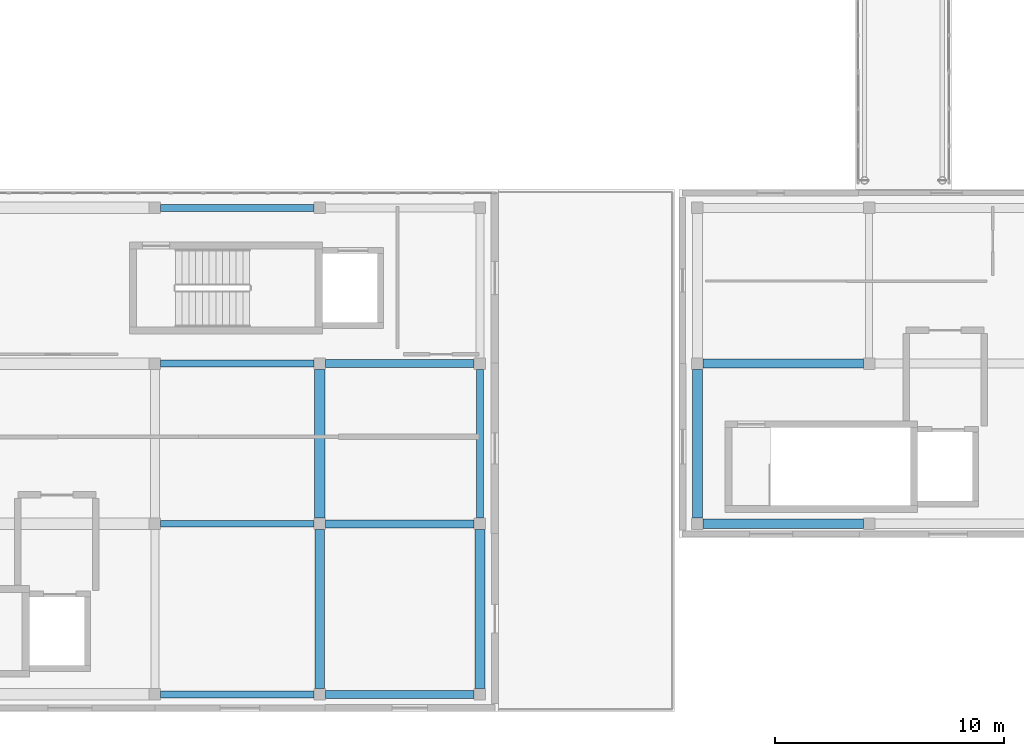
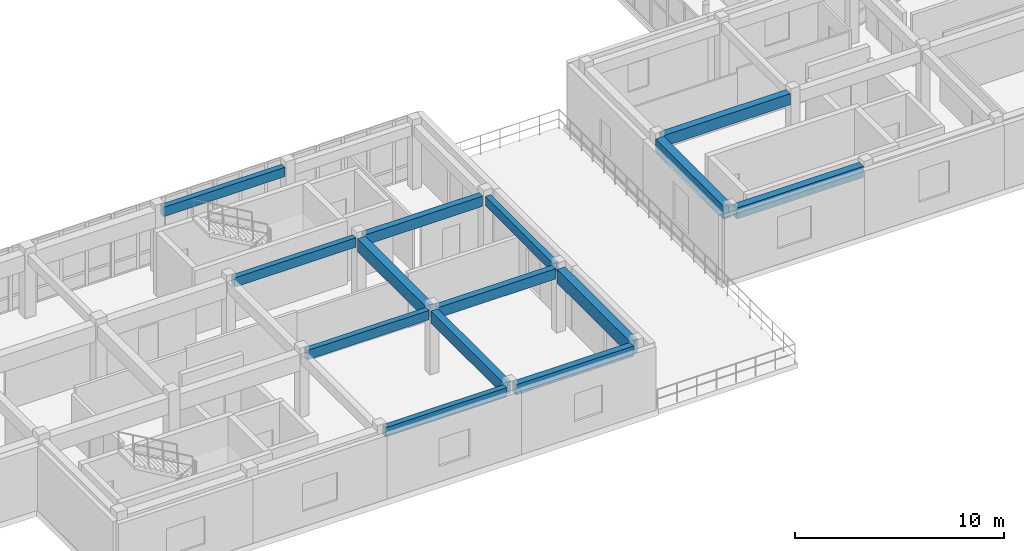
# One storey, part 12 of 52: 14 beams.
"""IFC4 building model written with IfcOpenShell, lengths in metres."""

from ifc_helpers import new_model, si_unit, direction, frame, origin, origin_2d, place, context, subcontext, project, spatial, rectangle, extrude, material, material_profile, profile_set, type_object, element, save


model = new_model("IFC4")

# Units and contexts
model_context = context("Model", 3, precision=1e-05, world=origin(), true_north=direction((0.0, 1.0)))
body_context = subcontext(model_context, "Body", "Model", "MODEL_VIEW")
ifc_project = project(units=[si_unit("LENGTHUNIT", "METRE"), si_unit("AREAUNIT", "SQUARE_METRE"), si_unit("VOLUMEUNIT", "CUBIC_METRE"), si_unit("PLANEANGLEUNIT", "RADIAN"), si_unit("MASSUNIT", "GRAM", prefix="KILO")], contexts=[model_context])

# Site, building, storey
site_placement = place(None, origin())
site = spatial("IfcSite", under=ifc_project, at=site_placement, CompositionType="ELEMENT")
building_placement = place(site_placement, origin())
building = spatial("IfcBuilding", under=site, at=building_placement, Name="Valcora Specialist Clinic", CompositionType="ELEMENT")
storey_placement = place(building_placement, frame((0.0, 0.0, 17.679931640625)))
storey = spatial("IfcBuildingStorey", under=building, at=storey_placement, Name="L04", CompositionType="ELEMENT", Elevation=17.679931640625)

# Beams
ifc_material = material(Name="Concrete C40/50", Category="concrete")
ifc_material_profile_1 = material_profile(ifc_material, rectangle(XDim=0.300048828125, YDim=0.550048828125, at=origin_2d()), Name="RC-BM-300X550")
ifc_profile_set_1 = profile_set([ifc_material_profile_1], Name="Concrete C40/50")
beam_type_1 = type_object("IfcBeamType", Name="TY-BM-RC300X550", PredefinedType="BEAM", material=ifc_profile_set_1)
for number, where, z_axis, x_axis, name in (
    (1, (30.85009765625, 0.75, 3.445068359375), (1.0, 0.0, 0.0), (0.0, 1.0, 0.0), "Beam BM-L04-1075"),
    (2, (30.85009765625, 8.199951171875, 3.445068359375), (1.0, 0.0, 0.0), (0.0, 1.0, 0.0), "Beam BM-L04-1081"),
    (3, (30.85009765625, 15.199951171875, 3.445068359375), (1.0, 0.0, 0.0), (0.0, 1.0, 0.0), "Beam BM-L04-1087"),
    (4, (30.85009765625, 22.0, 3.445068359375), (1.0, 0.0, 0.0), (0.0, 1.0, 0.0), "Beam BM-L04-1093"),
):
    element("IfcBeam", number, at=place(storey_placement, frame(where, z_axis=z_axis, x_axis=x_axis)), inside=storey, type_object=beam_type_1, Name=name, PredefinedType="BEAM", context=body_context, shape_type="SweptSolid", body=[
        extrude(rectangle(XDim=0.300048828125, YDim=0.550048828125, at=origin_2d()), origin(), (0.0, 0.0, 1.0), 6.699951171875),
    ])
beam_1_placement = place(storey_placement, frame((44.800048828125, 8.449951171875, 3.445068359375), z_axis=(0.0, 1.0, 0.0), x_axis=(-1.0, 0.0, 0.0)))
element("IfcBeam", 5, at=beam_1_placement, inside=storey, type_object=beam_type_1, Name="Beam BM-L04-1109", PredefinedType="BEAM", context=body_context, shape_type="SweptSolid", body=[
    extrude(rectangle(XDim=0.300048828125, YDim=0.550048828125, at=origin_2d()), origin(), (0.0, 0.0, 1.0), 6.5),
])
ifc_material_profile_2 = material_profile(ifc_material, rectangle(XDim=0.35009765625, YDim=0.60009765625, at=origin_2d()), Name="RC-BM-350X600")
ifc_profile_set_2 = profile_set([ifc_material_profile_2], Name="Concrete C40/50")
beam_type_2 = type_object("IfcBeamType", Name="TY-BM-RC350X600", PredefinedType="BEAM", material=ifc_profile_set_2)
for number, where, z_axis, x_axis, name in (
    (6, (38.050048828125, 0.75, 3.420166015625), (1.0, 0.0, 0.0), (0.0, 1.0, 0.0), "Beam BM-L04-1076"),
    (7, (38.050048828125, 8.199951171875, 3.420166015625), (1.0, 0.0, 0.0), (0.0, 1.0, 0.0), "Beam BM-L04-1082"),
    (8, (38.050048828125, 15.199951171875, 3.420166015625), (1.0, 0.0, 0.0), (0.0, 1.0, 0.0), "Beam BM-L04-1088"),
):
    element("IfcBeam", number, at=place(storey_placement, frame(where, z_axis=z_axis, x_axis=x_axis)), inside=storey, type_object=beam_type_2, Name=name, PredefinedType="BEAM", context=body_context, shape_type="SweptSolid", body=[
        extrude(rectangle(XDim=0.35009765625, YDim=0.60009765625, at=origin_2d()), origin(), (0.0, 0.0, 1.0), 6.5),
    ])
ifc_material_profile_3 = material_profile(ifc_material, rectangle(XDim=0.39990234375, YDim=0.64990234375, at=origin_2d()), Name="RC-BM-400X650")
ifc_profile_set_3 = profile_set([ifc_material_profile_3], Name="Concrete C40/50")
beam_type_3 = type_object("IfcBeamType", Name="TY-BM-RC400X650", PredefinedType="BEAM", material=ifc_profile_set_3)
for number, where, z_axis, x_axis, name in (
    (9, (54.550048828125, 8.199951171875, 3.449951171875), (1.0, 0.0, 0.0), (0.0, 1.0, 0.0), "Beam BM-L04-1467"),
    (10, (54.550048828125, 15.199951171875, 3.449951171875), (1.0, 0.0, 0.0), (0.0, 1.0, 0.0), "Beam BM-L04-1473"),
):
    element("IfcBeam", number, at=place(storey_placement, frame(where, z_axis=z_axis, x_axis=x_axis)), inside=storey, type_object=beam_type_3, Name=name, PredefinedType="BEAM", context=body_context, shape_type="SweptSolid", body=[
        extrude(rectangle(XDim=0.39990234375, YDim=0.64990234375, at=origin_2d()), origin(), (0.0, 0.0, 1.0), 7.0),
    ])
ifc_material_profile_4 = material_profile(ifc_material, rectangle(XDim=0.39990234375, YDim=0.699951171875, at=origin_2d()), Name="RC-BM-400X700")
ifc_profile_set_4 = profile_set([ifc_material_profile_4], Name="Concrete C40/50")
beam_type_4 = type_object("IfcBeamType", Name="TY-BM-RC400X700", PredefinedType="BEAM", material=ifc_profile_set_4)
beam_2_placement = place(storey_placement, frame((37.800048828125, 1.0, 3.3701171875), z_axis=(0.0, 1.0, 0.0), x_axis=(-1.0, 0.0, 0.0)))
element("IfcBeam", 11, at=beam_2_placement, inside=storey, type_object=beam_type_4, Name="Beam BM-L04-1106", PredefinedType="BEAM", context=body_context, shape_type="SweptSolid", body=[
    extrude(rectangle(XDim=0.39990234375, YDim=0.699951171875, at=origin_2d()), origin(), (0.0, 0.0, 1.0), 6.949951171875),
])
ifc_material_profile_5 = material_profile(ifc_material, rectangle(XDim=0.449951171875, YDim=0.75, at=origin_2d()), Name="RC-BM-450X750")
ifc_profile_set_5 = profile_set([ifc_material_profile_5], Name="Concrete C40/50")
beam_type_5 = type_object("IfcBeamType", Name="TY-BM-RC450X750", PredefinedType="BEAM", material=ifc_profile_set_5)
for number, where, z_axis, x_axis, name in (
    (12, (37.800048828125, 8.449951171875, 3.344970703125), (0.0, 1.0, 0.0), (-1.0, 0.0, 0.0), "Beam BM-L04-1107"),
    (13, (54.300048828125, 8.449951171875, 3.400146484375), (0.0, 1.0, 0.0), (-1.0, 0.0, 0.0), "Beam BM-L04-1485"),
):
    element("IfcBeam", number, at=place(storey_placement, frame(where, z_axis=z_axis, x_axis=x_axis)), inside=storey, type_object=beam_type_5, Name=name, PredefinedType="BEAM", context=body_context, shape_type="SweptSolid", body=[
        extrude(rectangle(XDim=0.449951171875, YDim=0.75, at=origin_2d()), origin(), (0.0, 0.0, 1.0), 6.5),
    ])
ifc_material_profile_6 = material_profile(ifc_material, rectangle(XDim=0.449951171875, YDim=0.800048828125, at=origin_2d()), Name="RC-BM-450X800")
ifc_profile_set_6 = profile_set([ifc_material_profile_6], Name="Concrete C40/50")
beam_type_6 = type_object("IfcBeamType", Name="TY-BM-RC450X800", PredefinedType="BEAM", material=ifc_profile_set_6)
beam_3_placement = place(storey_placement, frame((44.800048828125, 1.0, 3.320068359375), z_axis=(0.0, 1.0, 0.0), x_axis=(-1.0, 0.0, 0.0)))
element("IfcBeam", 14, at=beam_3_placement, inside=storey, type_object=beam_type_6, Name="Beam BM-L04-1108", PredefinedType="BEAM", context=body_context, shape_type="SweptSolid", body=[
    extrude(rectangle(XDim=0.449951171875, YDim=0.800048828125, at=origin_2d()), origin(), (0.0, 0.0, 1.0), 6.949951171875),
])

save(model, "model.ifc")
